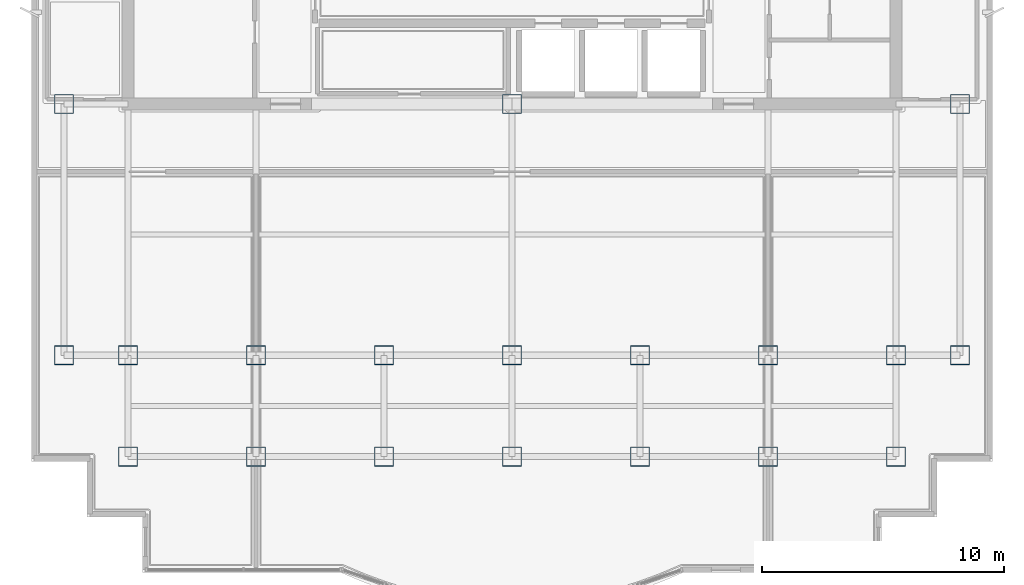
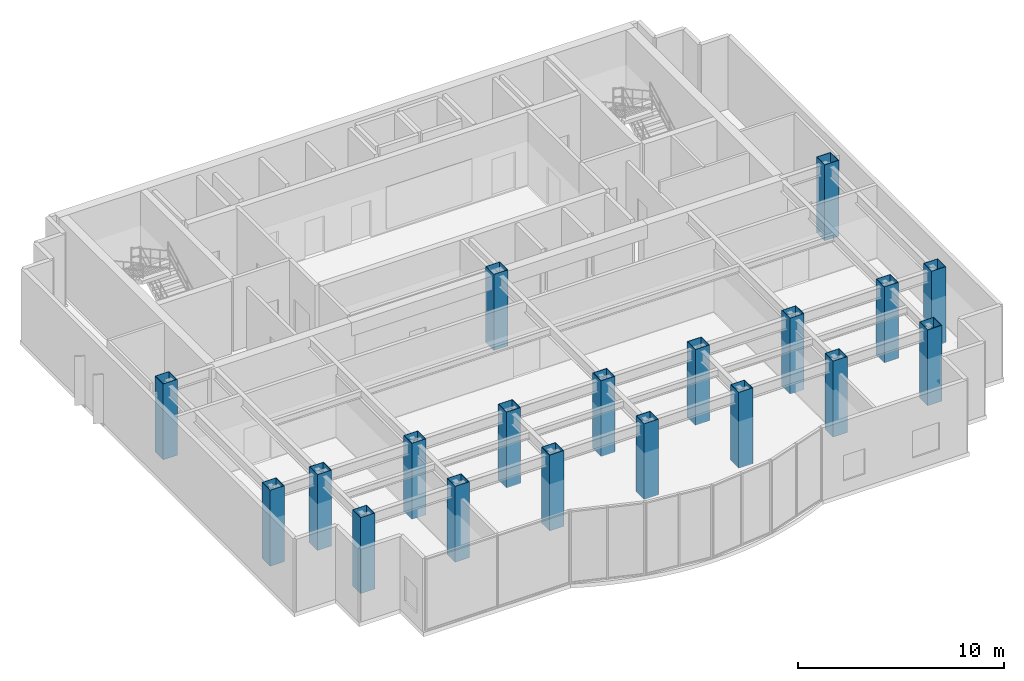
# One storey, part 1 of 8: 19 columns.
"""IFC4 building model written with IfcOpenShell, lengths in metres."""

from ifc_helpers import new_model, si_unit, direction, frame, origin, origin_2d, place, context, subcontext, project, spatial, hollow_rectangle, extrude, material, material_profile, profile_set, type_object, element, save


model = new_model("IFC4")

# Units and contexts
model_context = context("Model", 3, precision=1e-05, world=origin(), true_north=direction((0.0, 1.0)))
body_context = subcontext(model_context, "Body", "Model", "MODEL_VIEW")
ifc_project = project(units=[si_unit("LENGTHUNIT", "METRE"), si_unit("AREAUNIT", "SQUARE_METRE"), si_unit("VOLUMEUNIT", "CUBIC_METRE"), si_unit("PLANEANGLEUNIT", "RADIAN"), si_unit("MASSUNIT", "GRAM", prefix="KILO")], contexts=[model_context])

# Site, building, storey
site_placement = place(None, origin())
site = spatial("IfcSite", under=ifc_project, at=site_placement, CompositionType="ELEMENT")
building_placement = place(site_placement, origin())
building = spatial("IfcBuilding", under=site, at=building_placement, Name="Qianlan Lanfeng Residences", CompositionType="ELEMENT")
storey_placement = place(building_placement, frame((0.0, 0.0, 192.199951171875)))
storey = spatial("IfcBuildingStorey", under=building, at=storey_placement, Name="L52", CompositionType="ELEMENT", Elevation=192.199951171875)

# Columns
ifc_material = material(Name="Steel SN490B", Category="steel")
ifc_material_profile_1 = material_profile(ifc_material, hollow_rectangle(XDim=0.800048828125, YDim=0.800048828125, WallThickness=0.028076171875, at=origin_2d()), Name="BOX 800x800x28")
ifc_profile_set_1 = profile_set([ifc_material_profile_1], Name="Steel SN490B")
column_type_1 = type_object("IfcColumnType", Name="C-B850", PredefinedType="COLUMN", material=ifc_profile_set_1)
for number, where, z_axis, x_axis, name in (
    (1, (26.5, 25.199951171875, 0.0), (0.0, 0.0, 1.0), (1.0, 0.0, 0.0), "L52 Structural Column CP_26.5_25.2"),
    (2, (10.60009765625, 14.800048828125, 0.0), (0.0, 0.0, 1.0), (1.0, 0.0, 0.0), "L52 Structural Column M_10.60_14.80"),
    (3, (15.89990234375, 14.800048828125, 0.0), (0.0, 0.0, 1.0), (1.0, 0.0, 0.0), "L52 Structural Column M_15.90_14.80"),
    (4, (15.89990234375, 10.60009765625, 0.0), (0.0, 0.0, 1.0), (1.0, 0.0, 0.0), "L52 Structural Column G_15.90_10.60"),
    (5, (21.199951171875, 14.800048828125, 0.0), (0.0, 0.0, 1.0), (1.0, 0.0, 0.0), "L52 Structural Column M_21.20_14.80"),
    (6, (21.199951171875, 10.60009765625, 0.0), (0.0, 0.0, 1.0), (1.0, 0.0, 0.0), "L52 Structural Column G_21.20_10.60"),
    (7, (26.5, 14.800048828125, 0.0), (0.0, 0.0, 1.0), (1.0, 0.0, 0.0), "L52 Structural Column M_26.50_14.80"),
    (8, (26.5, 10.60009765625, 0.0), (0.0, 0.0, 1.0), (1.0, 0.0, 0.0), "L52 Structural Column G_26.50_10.60"),
    (9, (31.800048828125, 14.800048828125, 0.0), (0.0, 0.0, 1.0), (1.0, 0.0, 0.0), "L52 Structural Column M_31.80_14.80"),
    (10, (31.800048828125, 10.60009765625, 0.0), (0.0, 0.0, 1.0), (1.0, 0.0, 0.0), "L52 Structural Column G_31.80_10.60"),
    (11, (37.10009765625, 14.800048828125, 0.0), (0.0, 0.0, 1.0), (1.0, 0.0, 0.0), "L52 Structural Column M_37.10_14.80"),
    (12, (37.10009765625, 10.60009765625, 0.0), (0.0, 0.0, 1.0), (1.0, 0.0, 0.0), "L52 Structural Column G_37.10_10.60"),
    (13, (42.39990234375, 14.800048828125, 0.0), (0.0, 0.0, 1.0), (1.0, 0.0, 0.0), "L52 Structural Column M_42.40_14.80"),
):
    element("IfcColumn", number, at=place(storey_placement, frame(where, z_axis=z_axis, x_axis=x_axis)), inside=storey, type_object=column_type_1, Name=name, PredefinedType="COLUMN", context=body_context, shape_type="SweptSolid", body=[
        extrude(hollow_rectangle(XDim=0.800048828125, YDim=0.800048828125, WallThickness=0.028076171875, at=origin_2d()), origin(), (0.0, 0.0, 1.0), 4.5),
    ])
ifc_material_profile_2 = material_profile(ifc_material, hollow_rectangle(XDim=0.800048828125, YDim=0.800048828125, WallThickness=0.028076171875, at=origin_2d()), Name="BOX 800x800x28")
ifc_profile_set_2 = profile_set([ifc_material_profile_2], Name="Steel SN490B")
column_type_2 = type_object("IfcColumnType", Name="CE-B800", PredefinedType="COLUMN", material=ifc_profile_set_2)
for number, where, z_axis, x_axis, name in (
    (14, (10.60009765625, 10.60009765625, 0.0), (0.0, 0.0, 1.0), (1.0, 0.0, 0.0), "L52 Structural Column G_10.60_10.60"),
    (15, (42.39990234375, 10.60009765625, 0.0), (0.0, 0.0, 1.0), (1.0, 0.0, 0.0), "L52 Structural Column G_42.40_10.60"),
    (16, (7.949951171875, 14.800048828125, 0.0), (0.0, 0.0, 1.0), (1.0, 0.0, 0.0), "L52 Structural Column W_7.95_14.80"),
    (17, (7.949951171875, 25.199951171875, 0.0), (0.0, 0.0, 1.0), (1.0, 0.0, 0.0), "L52 Structural Column W_7.95_25.20"),
    (18, (45.050048828125, 14.800048828125, 0.0), (0.0, 0.0, 1.0), (1.0, 0.0, 0.0), "L52 Structural Column W_45.05_14.80"),
    (19, (45.050048828125, 25.199951171875, 0.0), (0.0, 0.0, 1.0), (1.0, 0.0, 0.0), "L52 Structural Column W_45.05_25.20"),
):
    element("IfcColumn", number, at=place(storey_placement, frame(where, z_axis=z_axis, x_axis=x_axis)), inside=storey, type_object=column_type_2, Name=name, PredefinedType="COLUMN", context=body_context, shape_type="SweptSolid", body=[
        extrude(hollow_rectangle(XDim=0.800048828125, YDim=0.800048828125, WallThickness=0.028076171875, at=origin_2d()), origin(), (0.0, 0.0, 1.0), 4.5),
    ])

save(model, "model.ifc")
